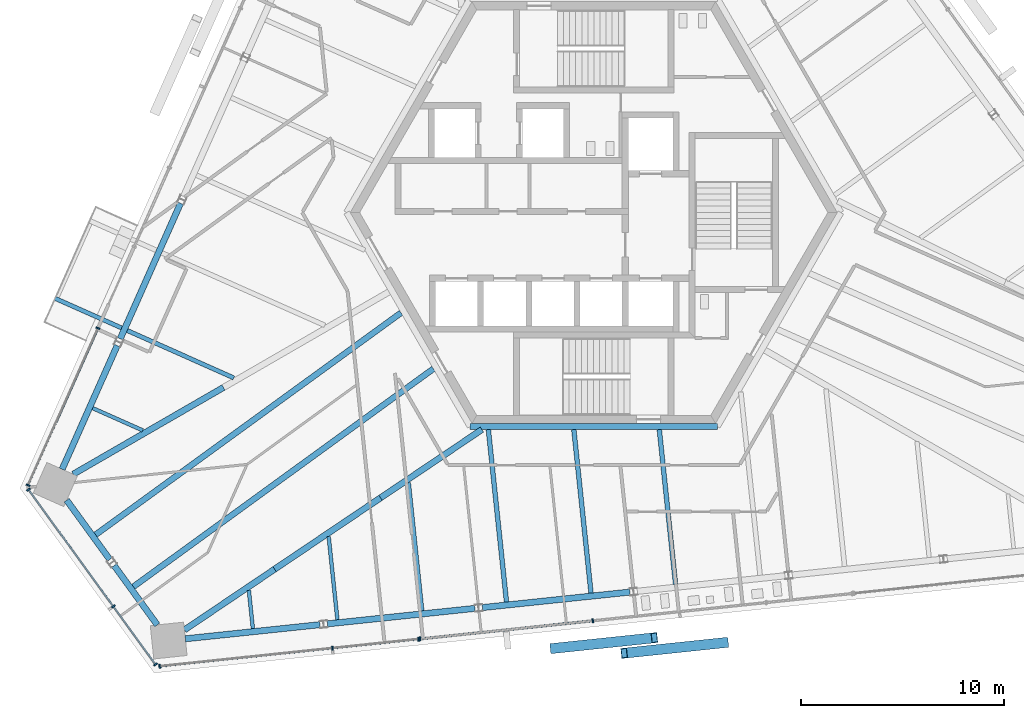
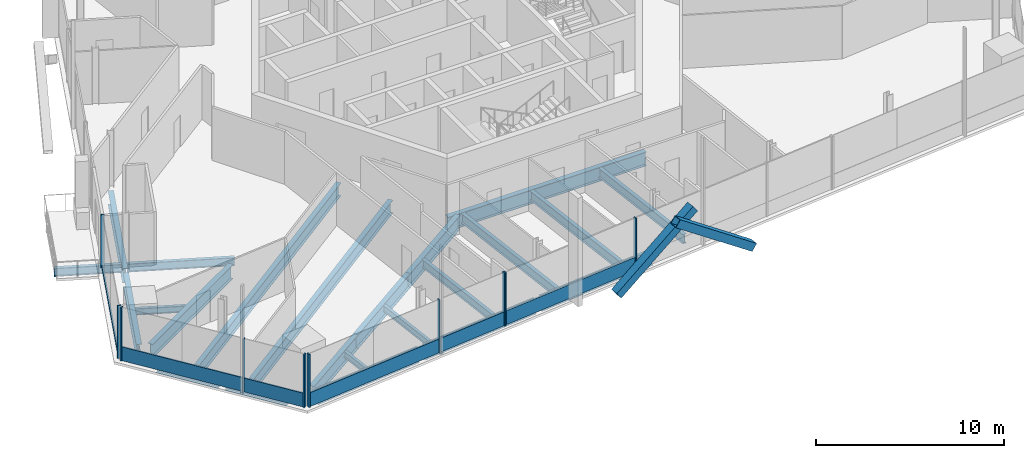
# One storey, part 4 of 20: 23 beams, 18 members, 4 elements without a shape of their own.
"""IFC4 building model written with IfcOpenShell, lengths in metres."""

import ifcopenshell
import ifcopenshell.guid

model = None  # the IFC model being written
_history = None  # IfcOwnerHistory: only IFC2X3 demands one
_inside = {}  # id of a spatial element -> (the spatial element, [elements in it])
_under = {}  # id of a project, library or spatial element -> (it, [spatial elements below it])
_declared = {}  # id of a project -> (the project, [libraries it declares])
_typed = {}  # id of a type object -> (the type object, [elements of that type])
_made_of = {}  # id of a material, layer set ... -> (it, [elements and type objects made of it])


def new_model(schema):
    """Start an empty IFC model of exactly this schema.

    Asked for "IFC4X3", IfcOpenShell would pick the latest addendum, in which some entities
    have other attributes; the version numbers below select the first issue.
    IFC2X3 requires an IfcOwnerHistory on every rooted entity: one is made here for all.
    """
    global model, _history
    if schema == "IFC4X3":
        model = ifcopenshell.file(schema_version=(4, 3, 0, 0))
    else:
        model = ifcopenshell.file(schema=schema)
    _inside.clear()
    _under.clear()
    _declared.clear()
    _typed.clear()
    _made_of.clear()
    _history = None
    if model.schema == "IFC2X3":
        org = make("IfcOrganization", Name="unknown")
        user = make(
            "IfcPersonAndOrganization",
            ThePerson=make("IfcPerson", FamilyName="unknown"),
            TheOrganization=org,
        )
        app = make(
            "IfcApplication",
            ApplicationDeveloper=org,
            Version="unknown",
            ApplicationFullName="unknown",
            ApplicationIdentifier="unknown",
        )
        _history = make(
            "IfcOwnerHistory",
            OwningUser=user,
            OwningApplication=app,
            ChangeAction="ADDED",
            CreationDate=0,
        )
    return model


def make(cls, **values):
    """One entity of the class cls with the attributes given. An attribute that is None is left unset."""
    return model.create_entity(
        cls, **{name: value for name, value in values.items() if value is not None}
    )


def rooted(cls, **values):
    """An entity with a GlobalId (a new one), such as an element, a storey or a relation."""
    return make(cls, GlobalId=ifcopenshell.guid.new(), OwnerHistory=_history, **values)


def si_unit(unit_type, name, prefix=None):
    """IfcSIUnit, for example si_unit("LENGTHUNIT", "METRE", prefix="MILLI")."""
    return make("IfcSIUnit", UnitType=unit_type, Prefix=prefix, Name=name)


def assignment(units):
    """IfcUnitAssignment: the units of a project."""
    return None if units is None else make("IfcUnitAssignment", Units=units)


def point(xyz):
    """IfcCartesianPoint."""
    return None if xyz is None else make("IfcCartesianPoint", Coordinates=xyz)


def direction(xyz):
    """IfcDirection."""
    return None if xyz is None else make("IfcDirection", DirectionRatios=xyz)


def frame(location, z_axis=None, x_axis=None):
    """IfcAxis2Placement3D, a coordinate frame: its origin and axes. An axis left out is left unset."""
    return make(
        "IfcAxis2Placement3D",
        Location=point(location),
        Axis=direction(z_axis),
        RefDirection=direction(x_axis),
    )


def frame_2d(location, x_axis=None):
    """IfcAxis2Placement2D, a coordinate frame in the plane: its origin and x axis."""
    return make(
        "IfcAxis2Placement2D", Location=point(location), RefDirection=direction(x_axis)
    )


def origin():
    """The frame at (0, 0, 0) with its axes left unset."""
    return frame((0.0, 0.0, 0.0))


def origin_2d():
    """The frame at (0, 0) in the plane with its x axis left unset."""
    return frame_2d((0.0, 0.0))


def place(relative_to, where):
    """IfcLocalPlacement: puts the frame where relative to a parent placement (None: the world)."""
    return make(
        "IfcLocalPlacement", PlacementRelTo=relative_to, RelativePlacement=where
    )


def context(
    kind, dimensions, precision=None, world=None, true_north=None, identifier=None
):
    """IfcGeometricRepresentationContext, for example the 3D "Model" context."""
    return make(
        "IfcGeometricRepresentationContext",
        ContextIdentifier=identifier,
        ContextType=kind,
        CoordinateSpaceDimension=dimensions,
        Precision=precision,
        WorldCoordinateSystem=world,
        TrueNorth=true_north,
    )


def subcontext(parent, identifier, kind, view, scale=None):
    """IfcGeometricRepresentationSubContext, for example "Body" below "Model"."""
    return make(
        "IfcGeometricRepresentationSubContext",
        ContextIdentifier=identifier,
        ContextType=kind,
        ParentContext=parent,
        TargetScale=scale,
        TargetView=view,
    )


def project(units=None, contexts=None):
    """IfcProject with its units and contexts."""
    return rooted(
        "IfcProject",
        Name="project",
        RepresentationContexts=contexts,
        UnitsInContext=assignment(units),
    )


def spatial(cls, under=None, at=None, **own):
    """A site, building, storey or space (cls), placed at a placement, below another one or the project."""
    s = rooted(cls, ObjectPlacement=at, **own)
    if under is not None:
        _under.setdefault(under.id(), (under, []))[1].append(s)
    return s


def profile(cls, at=None, kind="AREA", **sizes):
    """A parametric profile (cls). Its sizes go by their IFC names, for example OverallWidth=200.0."""
    return make(cls, ProfileType=kind, Position=at, **sizes)


def rectangle(**sizes):
    """IfcRectangleProfileDef."""
    return profile("IfcRectangleProfileDef", **sizes)


def hollow_rectangle(**sizes):
    """IfcRectangleHollowProfileDef."""
    return profile("IfcRectangleHollowProfileDef", **sizes)


def i_section(**sizes):
    """IfcIShapeProfileDef."""
    return profile("IfcIShapeProfileDef", **sizes)


def extrude(swept, where, along, depth):
    """IfcExtrudedAreaSolid: the profile swept, set in the frame where, extruded along a direction by depth."""
    return make(
        "IfcExtrudedAreaSolid",
        SweptArea=swept,
        Position=where,
        ExtrudedDirection=direction(along),
        Depth=depth,
    )


def shape(context_of_items, identifier, shape_type, items):
    """IfcShapeRepresentation: the items that make up one representation, for example the "Body"."""
    return make(
        "IfcShapeRepresentation",
        ContextOfItems=context_of_items,
        RepresentationIdentifier=identifier,
        RepresentationType=shape_type,
        Items=items,
    )


def source(mapping_origin, context_of_items, identifier, shape_type, items):
    """IfcRepresentationMap: a shape defined once, which mapped items show again and again."""
    return make(
        "IfcRepresentationMap",
        MappingOrigin=mapping_origin,
        MappedRepresentation=shape(context_of_items, identifier, shape_type, items),
    )


def transform(
    local_origin,
    x_axis=None,
    y_axis=None,
    z_axis=None,
    scale=None,
    scale2=None,
    scale3=None,
    uniform=True,
):
    """IfcCartesianTransformationOperator3D, or its non-uniform kind. x_axis, y_axis, z_axis: its Axis1, 2, 3."""
    if uniform:
        return make(
            "IfcCartesianTransformationOperator3D",
            Axis1=direction(x_axis),
            Axis2=direction(y_axis),
            LocalOrigin=point(local_origin),
            Scale=scale,
            Axis3=direction(z_axis),
        )
    return make(
        "IfcCartesianTransformationOperator3DnonUniform",
        Axis1=direction(x_axis),
        Axis2=direction(y_axis),
        LocalOrigin=point(local_origin),
        Scale=scale,
        Axis3=direction(z_axis),
        Scale2=scale2,
        Scale3=scale3,
    )


def mapped(mapping_source, mapping_target):
    """IfcMappedItem: shows the shape of a source again, moved by a transform."""
    return make(
        "IfcMappedItem", MappingSource=mapping_source, MappingTarget=mapping_target
    )


def material(Name=None, Category=None):
    """IfcMaterial."""
    return make("IfcMaterial", Name=Name, Category=Category)


def material_profile(
    of_material, cross_section, Name=None, Category=None, Priority=None
):
    """IfcMaterialProfile: a cross section and its material."""
    return make(
        "IfcMaterialProfile",
        Name=Name,
        Material=of_material,
        Profile=cross_section,
        Priority=Priority,
        Category=Category,
    )


def profile_set(profiles, Name=None, composite=None):
    """IfcMaterialProfileSet."""
    return make(
        "IfcMaterialProfileSet",
        Name=Name,
        MaterialProfiles=profiles,
        CompositeProfile=composite,
    )


def made_of(thing, what):
    """Note that an element or type object is made of a material, layer set ...; save() writes the relation."""
    if what is not None:
        _made_of.setdefault(what.id(), (what, []))[1].append(thing)
    return thing


def type_object(cls, material=None, **own):
    """A type object (cls), such as IfcWallType, which elements share."""
    return made_of(rooted(cls, **own), material)


def element(
    cls,
    number,
    at=None,
    inside=None,
    cuts=None,
    type_object=None,
    material=None,
    context=None,
    identifier="Body",
    shape_type=None,
    held_by="IfcProductDefinitionShape",
    body=None,
    shapes=None,
    **own,
):
    """One element of the class cls, such as IfcWall. Its Tag is "e" and its number.

    at: its placement. inside: the storey or other place that contains it. cuts: it is an
    opening in that element (IfcRelVoidsElement). A single representation is given by context,
    identifier, shape_type and body (its items); several are given by shapes. held_by: the class
    of the entity that holds the representations. save() writes the other relations.
    """
    e = rooted(cls, Tag="e%d" % number, ObjectPlacement=at, **own)
    if body is not None:
        shapes = [shape(context, identifier, shape_type, body)]
    if shapes is not None:
        e.Representation = make(held_by, Representations=shapes)
    if inside is not None:
        _inside.setdefault(inside.id(), (inside, []))[1].append(e)
    if cuts is not None:
        rooted(
            "IfcRelVoidsElement", RelatingBuildingElement=cuts, RelatedOpeningElement=e
        )
    if type_object is not None:
        _typed.setdefault(type_object.id(), (type_object, []))[1].append(e)
    return made_of(e, material)


def aggregate(whole, parts):
    """IfcRelAggregates: a whole, such as a stair, and the parts it consists of."""
    return rooted("IfcRelAggregates", RelatingObject=whole, RelatedObjects=parts)


def save(model, path):
    """Write the relations noted so far, then the file.

    IfcRelAggregates (storeys below a building ...), IfcRelContainedInSpatialStructure (elements
    in a storey), IfcRelDefinesByType, IfcRelAssociatesMaterial and IfcRelDeclares: one each for
    every whole, place, type object, material and project.
    """
    for whole, parts in _under.values():
        aggregate(whole, parts)
    for where, things in _inside.values():
        rooted(
            "IfcRelContainedInSpatialStructure",
            RelatedElements=things,
            RelatingStructure=where,
        )
    for kind, things in _typed.values():
        rooted("IfcRelDefinesByType", RelatedObjects=things, RelatingType=kind)
    for what, things in _made_of.values():
        rooted("IfcRelAssociatesMaterial", RelatedObjects=things, RelatingMaterial=what)
    for by, libraries in _declared.values():
        rooted("IfcRelDeclares", RelatingContext=by, RelatedDefinitions=libraries)
    model.write(path)


model = new_model("IFC4")

# Units and contexts
model_context = context("Model", 3, precision=1e-05, world=origin(), true_north=direction((0.0, 1.0)))
body_context = subcontext(model_context, "Body", "Model", "MODEL_VIEW")
ifc_project = project(units=[si_unit("LENGTHUNIT", "METRE"), si_unit("AREAUNIT", "SQUARE_METRE"), si_unit("VOLUMEUNIT", "CUBIC_METRE"), si_unit("PLANEANGLEUNIT", "RADIAN"), si_unit("MASSUNIT", "GRAM", prefix="KILO")], contexts=[model_context])

# Site, building, storey
site_placement = place(None, origin())
site = spatial("IfcSite", under=ifc_project, at=site_placement, CompositionType="ELEMENT")
building_placement = place(site_placement, origin())
building = spatial("IfcBuilding", under=site, at=building_placement, Name="Triune Harvest Tower", CompositionType="ELEMENT")
storey_placement = place(building_placement, frame((0.0, 0.0, 234.10009765625)))
storey = spatial("IfcBuildingStorey", under=building, at=storey_placement, Name="L61", CompositionType="ELEMENT", Elevation=234.10009765625)

# Curtain wall, member
ifc_material_1 = material(Name="Aluminium bronze anodised", Category="aluminium")
curtain_wall_type_1 = type_object("IfcCurtainWallType", Name="CW-6 Balcony window wall", PredefinedType="NOTDEFINED", material=ifc_material_1)
curtain_wall_1_placement = place(storey_placement, origin())
curtain_wall_1 = element("IfcCurtainWall", 1, at=curtain_wall_1_placement, inside=storey, type_object=curtain_wall_type_1, Name="CW-6 B6-F3 L61 run 2")
ifc_material_2 = material(Name="Aluminium bronze anodised", Category="aluminium")
ifc_material_profile_1 = material_profile(ifc_material_2, rectangle(XDim=0.090087890625, YDim=0.14990234375, at=origin_2d()), Name="TR-6 transom 90 x 150")
ifc_profile_set_1 = profile_set([ifc_material_profile_1], Name="Aluminium bronze anodised")
member_type_1 = type_object("IfcMemberType", Name="TR-6 transom 90 x 150", PredefinedType="USERDEFINED", material=ifc_profile_set_1)
member_1_placement = place(storey_placement, frame((-24.44921875, -5.733642578125, 0.074951171875), z_axis=(-0.406751042422, -0.913539046505, 0.0), x_axis=(0.913539046505, -0.406751042422, 0.0)))
member_1 = element("IfcMember", 2, at=member_1_placement, type_object=member_type_1, Name="CW-6 transom B6-F3 2.1", ObjectType="TRANSOM", PredefinedType="USERDEFINED", context=body_context, shape_type="SweptSolid", body=[
    extrude(rectangle(XDim=0.090087890625, YDim=0.14990234375, at=origin_2d()), origin(), (0.0, 0.0, 1.0), 8.392822265625),
])

# Beams
ifc_material_3 = material(Name="Steel ASTM A992 Gr 50", Category="steel")
ifc_material_profile_2 = material_profile(ifc_material_3, i_section(OverallWidth=0.3046875, OverallDepth=0.914306640625, WebThickness=0.0166015625, FlangeThickness=0.02587890625, at=origin_2d()), Name="W36x160")
ifc_profile_set_2 = profile_set([ifc_material_profile_2], Name="Steel ASTM A992 Gr 50")
beam_type_1 = type_object("IfcBeamType", Name="CG-1 Core ring girder W36x160", PredefinedType="BEAM", material=ifc_profile_set_2)
shared_shape_1 = source(origin(), body_context, "Body", "SweptSolid", [
    extrude(i_section(OverallWidth=0.3046875, OverallDepth=0.914306640625, WebThickness=0.0166015625, FlangeThickness=0.02587890625, at=origin_2d()), origin(), (0.0, 0.0, 1.0), 12.17578125),
])
beam_1_placement = place(storey_placement, frame((-6.087890625, -10.544677734375, -0.6171875), z_axis=(1.0, 0.0, 0.0), x_axis=(0.0, 1.0, 0.0)))
element("IfcBeam", 3, at=beam_1_placement, inside=storey, type_object=beam_type_1, Name="beam/L61/CG5", PredefinedType="BEAM", context=body_context, shape_type="MappedRepresentation", body=[
    mapped(shared_shape_1, transform((0.0, 0.0, 0.0), scale=1.0)),
])
ifc_material_4 = material(Name="Steel ASTM A992 Gr 50", Category="steel")
ifc_material_profile_3 = material_profile(ifc_material_4, i_section(OverallWidth=0.3046875, OverallDepth=0.914306640625, WebThickness=0.0166015625, FlangeThickness=0.02587890625, at=origin_2d()), Name="W36x160")
ifc_profile_set_3 = profile_set([ifc_material_profile_3], Name="Steel ASTM A992 Gr 50")
beam_type_2 = type_object("IfcBeamType", Name="HG-3 Hip girder W36x160", PredefinedType="BEAM", material=ifc_profile_set_3)
shared_shape_2 = source(origin(), body_context, "Body", "SweptSolid", [
    extrude(i_section(OverallWidth=0.3046875, OverallDepth=0.914306640625, WebThickness=0.0166015625, FlangeThickness=0.02587890625, at=origin_2d()), origin(), (0.0, 0.0, 1.0), 6.293701171875),
])
beam_2_placement = place(storey_placement, frame((-15.72802734375, -17.576904296875, -0.6171875), z_axis=(0.829391075311, 0.558668456416, 0.0), x_axis=(-0.558668456416, 0.829391075311, 0.0)))
element("IfcBeam", 4, at=beam_2_placement, inside=storey, type_object=beam_type_2, Name="beam/L61/HG8", PredefinedType="BEAM", context=body_context, shape_type="MappedRepresentation", body=[
    mapped(shared_shape_2, transform((0.0, 0.0, 0.0), scale=1.0)),
])
shared_shape_3 = source(origin(), body_context, "Body", "SweptSolid", [
    extrude(i_section(OverallWidth=0.3046875, OverallDepth=0.914306640625, WebThickness=0.0166015625, FlangeThickness=0.02587890625, at=origin_2d()), origin(), (0.0, 0.0, 1.0), 6.02099609375),
])
beam_3_placement = place(storey_placement, frame((-10.508056640625, -14.060791015625, -0.6171875), z_axis=(0.829383245618, 0.558680080088, 0.0), x_axis=(-0.558680080088, 0.829383245618, 0.0)))
element("IfcBeam", 5, at=beam_3_placement, inside=storey, type_object=beam_type_2, Name="beam/L61/HG9", PredefinedType="BEAM", context=body_context, shape_type="MappedRepresentation", body=[
    mapped(shared_shape_3, transform((0.0, 0.0, 0.0), scale=1.0)),
])
ifc_material_5 = material(Name="Steel ASTM A992 Gr 50", Category="steel")
ifc_material_profile_4 = material_profile(ifc_material_5, i_section(OverallWidth=0.3046875, OverallDepth=0.914306640625, WebThickness=0.0166015625, FlangeThickness=0.02587890625, at=origin_2d()), Name="W36x160")
ifc_profile_set_4 = profile_set([ifc_material_profile_4], Name="Steel ASTM A992 Gr 50")
beam_type_3 = type_object("IfcBeamType", Name="SB-1 Spandrel beam W36x160", PredefinedType="SPANDREL", material=ifc_profile_set_4)
shared_shape_4 = source(origin(), body_context, "Body", "SweptSolid", [
    extrude(i_section(OverallWidth=0.3046875, OverallDepth=0.914306640625, WebThickness=0.0166015625, FlangeThickness=0.02587890625, at=origin_2d()), origin(), (0.0, 0.0, 1.0), 6.67041015625),
])
beam_4_placement = place(storey_placement, frame((-20.127685546875, -21.007080078125, -0.6171875), z_axis=(0.994521485501, 0.104532362822, 0.0), x_axis=(-0.104532362822, 0.994521485501, 0.0)))
element("IfcBeam", 6, at=beam_4_placement, inside=storey, type_object=beam_type_3, Name="beam/L61/SB17", PredefinedType="SPANDREL", context=body_context, shape_type="MappedRepresentation", body=[
    mapped(shared_shape_4, transform((0.0, 0.0, 0.0), scale=1.0)),
])
shared_shape_5 = source(origin(), body_context, "Body", "SweptSolid", [
    extrude(i_section(OverallWidth=0.3046875, OverallDepth=0.914306640625, WebThickness=0.0166015625, FlangeThickness=0.02587890625, at=origin_2d()), origin(), (0.0, 0.0, 1.0), 7.31103515625),
])
beam_5_placement = place(storey_placement, frame((-13.127685546875, -20.271240234375, -0.6171875), z_axis=(0.994522639393, 0.104521384101, 0.0), x_axis=(-0.104521384101, 0.994522639393, 0.0)))
element("IfcBeam", 7, at=beam_5_placement, inside=storey, type_object=beam_type_3, Name="beam/L61/SB18", PredefinedType="SPANDREL", context=body_context, shape_type="MappedRepresentation", body=[
    mapped(shared_shape_5, transform((0.0, 0.0, 0.0), scale=1.0)),
])
shared_shape_6 = source(origin(), body_context, "Body", "SweptSolid", [
    extrude(i_section(OverallWidth=0.3046875, OverallDepth=0.914306640625, WebThickness=0.0166015625, FlangeThickness=0.02587890625, at=origin_2d()), origin(), (0.0, 0.0, 1.0), 3.614990234375),
])
for number, where, z_axis, x_axis, name in (
    (8, (-25.974365234375, -14.175537109375, -0.6171875), (0.587818273033, -0.808993002373, 0.0), (0.808993002373, 0.587818273033, 0.0), "beam/L61/SB15"),
    (9, (-23.633056640625, -17.39794921875, -0.6171875), (0.587818273033, -0.808993002373, 0.0), (0.808993002373, 0.587818273033, 0.0), "beam/L61/SB16"),
):
    element("IfcBeam", number, at=place(storey_placement, frame(where, z_axis=z_axis, x_axis=x_axis)), inside=storey, type_object=beam_type_3, Name=name, PredefinedType="SPANDREL", context=body_context, shape_type="MappedRepresentation", body=[
        mapped(shared_shape_6, transform((0.0, 0.0, 0.0), scale=1.0)),
    ])
shared_shape_7 = source(origin(), body_context, "Body", "SweptSolid", [
    extrude(i_section(OverallWidth=0.3046875, OverallDepth=0.914306640625, WebThickness=0.0166015625, FlangeThickness=0.02587890625, at=origin_2d()), origin(), (0.0, 0.0, 1.0), 6.670166015625),
])
beam_6_placement = place(storey_placement, frame((-23.485595703125, -6.5576171875, -0.6171875), z_axis=(-0.406722507275, -0.913551751176, 0.0), x_axis=(0.913551751176, -0.406722507275, 0.0)))
element("IfcBeam", 10, at=beam_6_placement, inside=storey, type_object=beam_type_3, Name="beam/L61/SB14", PredefinedType="SPANDREL", context=body_context, shape_type="MappedRepresentation", body=[
    mapped(shared_shape_7, transform((0.0, 0.0, 0.0), scale=1.0)),
])
shared_shape_8 = source(origin(), body_context, "Body", "SweptSolid", [
    extrude(i_section(OverallWidth=0.3046875, OverallDepth=0.914306640625, WebThickness=0.0166015625, FlangeThickness=0.02587890625, at=origin_2d()), origin(), (0.0, 0.0, 1.0), 7.311279296875),
])
for number, where, z_axis, x_axis, name in (
    (11, (-20.362060546875, 0.4580078125, -0.6171875), (-0.406720859208, -0.91355248491, 0.0), (0.91355248491, -0.406720859208, 0.0), "beam/L61/SB13"),
    (12, (-5.490478515625, -19.468505859375, -0.6171875), (0.994519532674, 0.104550940362, 0.0), (-0.104550940362, 0.994519532674, 0.0), "beam/L61/SB19"),
):
    element("IfcBeam", number, at=place(storey_placement, frame(where, z_axis=z_axis, x_axis=x_axis)), inside=storey, type_object=beam_type_3, Name=name, PredefinedType="SPANDREL", context=body_context, shape_type="MappedRepresentation", body=[
        mapped(shared_shape_8, transform((0.0, 0.0, 0.0), scale=1.0)),
    ])
shared_shape_9 = source(origin(), body_context, "Body", "SweptSolid", [
    extrude(i_section(OverallWidth=0.3046875, OverallDepth=0.914306640625, WebThickness=0.0166015625, FlangeThickness=0.02587890625, at=origin_2d()), origin(), (0.0, 0.0, 1.0), 8.548583984375),
])
beam_7_placement = place(storey_placement, frame((-25.651123046875, -12.89501953125, -0.6171875), z_axis=(0.866020080793, 0.500009219579, 0.0), x_axis=(-0.500009219579, 0.866020080793, 0.0)))
element("IfcBeam", 13, at=beam_7_placement, inside=storey, type_object=beam_type_2, Name="beam/L61/HG5", PredefinedType="BEAM", context=body_context, shape_type="MappedRepresentation", body=[
    mapped(shared_shape_9, transform((0.0, 0.0, 0.0), scale=1.0)),
])
shared_shape_10 = source(origin(), body_context, "Body", "SweptSolid", [
    extrude(i_section(OverallWidth=0.3046875, OverallDepth=0.914306640625, WebThickness=0.0166015625, FlangeThickness=0.02587890625, at=origin_2d()), origin(), (0.0, 0.0, 1.0), 5.35986328125),
])
beam_8_placement = place(storey_placement, frame((-20.173583984375, -20.5712890625, -0.6171875), z_axis=(0.829399024376, 0.558656655169, 0.0), x_axis=(-0.558656655169, 0.829399024376, 0.0)))
element("IfcBeam", 14, at=beam_8_placement, inside=storey, type_object=beam_type_2, Name="beam/L61/HG7", PredefinedType="BEAM", context=body_context, shape_type="MappedRepresentation", body=[
    mapped(shared_shape_10, transform((0.0, 0.0, 0.0), scale=1.0)),
])
ifc_material_6 = material(Name="Steel ASTM A992 Gr 50", Category="steel")
ifc_material_profile_5 = material_profile(ifc_material_6, i_section(OverallWidth=0.2099609375, OverallDepth=0.535888671875, WebThickness=0.010986328125, FlangeThickness=0.017333984375, at=origin_2d()), Name="W21x68")
ifc_profile_set_5 = profile_set([ifc_material_profile_5], Name="Steel ASTM A992 Gr 50")
beam_type_4 = type_object("IfcBeamType", Name="JT-2 Floor joist W21x68", PredefinedType="JOIST", material=ifc_profile_set_5)
shared_shape_11 = source(origin(), body_context, "Body", "SweptSolid", [
    extrude(i_section(OverallWidth=0.2099609375, OverallDepth=0.535888671875, WebThickness=0.010986328125, FlangeThickness=0.017333984375, at=origin_2d()), origin(), (0.0, 0.0, 1.0), 6.346435546875),
])
beam_9_placement = place(storey_placement, frame((-8.466552734375, -19.628173828125, -0.427978515625), z_axis=(-0.104518578592, 0.99452293424, 0.0), x_axis=(-0.99452293424, -0.104518578592, 0.0)))
element("IfcBeam", 15, at=beam_9_placement, inside=storey, type_object=beam_type_4, Name="beam/L61/JT27", PredefinedType="JOIST", context=body_context, shape_type="MappedRepresentation", body=[
    mapped(shared_shape_11, transform((0.0, 0.0, 0.0), scale=1.0)),
])
ifc_material_7 = material(Name="Steel ASTM A992 Gr 50", Category="steel")
ifc_material_profile_6 = material_profile(ifc_material_7, i_section(OverallWidth=0.22900390625, OverallDepth=0.612060546875, WebThickness=0.011962890625, FlangeThickness=0.01953125, at=origin_2d()), Name="W24x84")
ifc_profile_set_6 = profile_set([ifc_material_profile_6], Name="Steel ASTM A992 Gr 50")
beam_type_5 = type_object("IfcBeamType", Name="JT-3 Floor joist W24x84", PredefinedType="JOIST", material=ifc_profile_set_6)
shared_shape_12 = source(origin(), body_context, "Body", "SweptSolid", [
    extrude(i_section(OverallWidth=0.22900390625, OverallDepth=0.612060546875, WebThickness=0.011962890625, FlangeThickness=0.01953125, at=origin_2d()), origin(), (0.0, 0.0, 1.0), 8.099609375),
])
beam_10_placement = place(storey_placement, frame((-0.135009765625, -18.752197265625, -0.46630859375), z_axis=(-0.104534153452, 0.994521297289, 0.0), x_axis=(-0.994521297289, -0.104534153452, 0.0)))
element("IfcBeam", 16, at=beam_10_placement, inside=storey, type_object=beam_type_5, Name="beam/L61/JT29", PredefinedType="JOIST", context=body_context, shape_type="MappedRepresentation", body=[
    mapped(shared_shape_12, transform((0.0, 0.0, 0.0), scale=1.0)),
])
shared_shape_13 = source(origin(), body_context, "Body", "SweptSolid", [
    extrude(i_section(OverallWidth=0.22900390625, OverallDepth=0.612060546875, WebThickness=0.011962890625, FlangeThickness=0.01953125, at=origin_2d()), origin(), (0.0, 0.0, 1.0), 7.659423828125),
])
beam_11_placement = place(storey_placement, frame((4.031005859375, -18.314453125, -0.46630859375), z_axis=(-0.104548726976, 0.994519765358, 0.0), x_axis=(-0.994519765358, -0.104548726976, 0.0)))
element("IfcBeam", 17, at=beam_11_placement, inside=storey, type_object=beam_type_5, Name="beam/L61/JT30", PredefinedType="JOIST", context=body_context, shape_type="MappedRepresentation", body=[
    mapped(shared_shape_13, transform((0.0, 0.0, 0.0), scale=1.0)),
])
shared_shape_14 = source(origin(), body_context, "Body", "SweptSolid", [
    extrude(i_section(OverallWidth=0.2099609375, OverallDepth=0.535888671875, WebThickness=0.010986328125, FlangeThickness=0.017333984375, at=origin_2d()), origin(), (0.0, 0.0, 1.0), 5.745849609375),
])
beam_12_placement = place(storey_placement, frame((-22.987548828125, -5.8134765625, -0.427978515625), z_axis=(0.913552037091, -0.406721865071, 0.0), x_axis=(0.406721865071, 0.913552037091, 0.0)))
element("IfcBeam", 18, at=beam_12_placement, inside=storey, type_object=beam_type_4, Name="beam/L61/JT21", PredefinedType="JOIST", context=body_context, shape_type="MappedRepresentation", body=[
    mapped(shared_shape_14, transform((0.0, 0.0, 0.0), scale=1.0)),
])
ifc_material_8 = material(Name="Steel ASTM A992 Gr 50", Category="steel")
ifc_material_profile_7 = material_profile(ifc_material_8, i_section(OverallWidth=0.2919921875, OverallDepth=0.8408203125, WebThickness=0.0146484375, FlangeThickness=0.021728515625, at=origin_2d()), Name="W33x130")
ifc_profile_set_7 = profile_set([ifc_material_profile_7], Name="Steel ASTM A992 Gr 50")
beam_type_6 = type_object("IfcBeamType", Name="JT-6 Floor joist W33x130", PredefinedType="JOIST", material=ifc_profile_set_7)
shared_shape_15 = source(origin(), body_context, "Body", "SweptSolid", [
    extrude(i_section(OverallWidth=0.2919921875, OverallDepth=0.8408203125, WebThickness=0.0146484375, FlangeThickness=0.021728515625, at=origin_2d()), origin(), (0.0, 0.0, 1.0), 18.27099609375),
])
beam_13_placement = place(storey_placement, frame((-22.68701171875, -18.44091796875, -0.58056640625), z_axis=(0.809013927609, 0.587789473311, 0.0), x_axis=(-0.587789473311, 0.809013927609, 0.0)))
element("IfcBeam", 19, at=beam_13_placement, inside=storey, type_object=beam_type_6, Name="beam/L61/JT24", PredefinedType="JOIST", context=body_context, shape_type="MappedRepresentation", body=[
    mapped(shared_shape_15, transform((0.0, 0.0, 0.0), scale=1.0)),
])
ifc_material_9 = material(Name="Steel ASTM A992 Gr 50", Category="steel")
ifc_material_profile_8 = material_profile(ifc_material_9, i_section(OverallWidth=0.180908203125, OverallDepth=0.41650390625, WebThickness=0.010986328125, FlangeThickness=0.01806640625, at=origin_2d()), Name="W16x57")
ifc_profile_set_8 = profile_set([ifc_material_profile_8], Name="Steel ASTM A992 Gr 50")
beam_type_7 = type_object("IfcBeamType", Name="JT-1 Floor joist W16x57", PredefinedType="JOIST", material=ifc_profile_set_8)
shared_shape_16 = source(origin(), body_context, "Body", "SweptSolid", [
    extrude(i_section(OverallWidth=0.180908203125, OverallDepth=0.41650390625, WebThickness=0.010986328125, FlangeThickness=0.01806640625, at=origin_2d()), origin(), (0.0, 0.0, 1.0), 1.899169921875),
])
beam_14_placement = place(storey_placement, frame((-16.79833984375, -20.50390625, -0.368408203125), z_axis=(-0.104517481806, 0.994523049505, 0.0), x_axis=(-0.994523049505, -0.104517481806, 0.0)))
element("IfcBeam", 20, at=beam_14_placement, inside=storey, type_object=beam_type_7, Name="beam/L61/JT25", PredefinedType="JOIST", context=body_context, shape_type="MappedRepresentation", body=[
    mapped(shared_shape_16, transform((0.0, 0.0, 0.0), scale=1.0)),
])
shared_shape_17 = source(origin(), body_context, "Body", "SweptSolid", [
    extrude(i_section(OverallWidth=0.180908203125, OverallDepth=0.41650390625, WebThickness=0.010986328125, FlangeThickness=0.01806640625, at=origin_2d()), origin(), (0.0, 0.0, 1.0), 4.12255859375),
])
beam_15_placement = place(storey_placement, frame((-12.632568359375, -20.06591796875, -0.368408203125), z_axis=(-0.104521403768, 0.994522637326, 0.0), x_axis=(-0.994522637326, -0.104521403768, 0.0)))
element("IfcBeam", 21, at=beam_15_placement, inside=storey, type_object=beam_type_7, Name="beam/L61/JT26", PredefinedType="JOIST", context=body_context, shape_type="MappedRepresentation", body=[
    mapped(shared_shape_17, transform((0.0, 0.0, 0.0), scale=1.0)),
])
shared_shape_18 = source(origin(), body_context, "Body", "SweptSolid", [
    extrude(i_section(OverallWidth=0.180908203125, OverallDepth=0.41650390625, WebThickness=0.010986328125, FlangeThickness=0.01806640625, at=origin_2d()), origin(), (0.0, 0.0, 1.0), 2.702392578125),
])
beam_16_placement = place(storey_placement, frame((-24.691162109375, -9.64013671875, -0.368408203125), z_axis=(0.913550575703, -0.406725147529, 0.0), x_axis=(0.406725147529, 0.913550575703, 0.0)))
element("IfcBeam", 22, at=beam_16_placement, inside=storey, type_object=beam_type_7, Name="beam/L61/JT22", PredefinedType="JOIST", context=body_context, shape_type="MappedRepresentation", body=[
    mapped(shared_shape_18, transform((0.0, 0.0, 0.0), scale=1.0)),
])
shared_shape_19 = source(origin(), body_context, "Body", "SweptSolid", [
    extrude(i_section(OverallWidth=0.2919921875, OverallDepth=0.8408203125, WebThickness=0.0146484375, FlangeThickness=0.021728515625, at=origin_2d()), origin(), (0.0, 0.0, 1.0), 18.603515625),
])
beam_17_placement = place(storey_placement, frame((-24.548828125, -15.8779296875, -0.58056640625), z_axis=(0.809011797406, 0.58779240524, 0.0), x_axis=(-0.58779240524, 0.809011797406, 0.0)))
element("IfcBeam", 23, at=beam_17_placement, inside=storey, type_object=beam_type_6, Name="beam/L61/JT23", PredefinedType="JOIST", context=body_context, shape_type="MappedRepresentation", body=[
    mapped(shared_shape_19, transform((0.0, 0.0, 0.0), scale=1.0)),
])
shared_shape_20 = source(origin(), body_context, "Body", "SweptSolid", [
    extrude(i_section(OverallWidth=0.22900390625, OverallDepth=0.612060546875, WebThickness=0.011962890625, FlangeThickness=0.01953125, at=origin_2d()), origin(), (0.0, 0.0, 1.0), 8.5400390625),
])
beam_18_placement = place(storey_placement, frame((-4.30078125, -19.190185546875, -0.46630859375), z_axis=(-0.104546386162, 0.994520011433, 0.0), x_axis=(-0.994520011433, -0.104546386162, 0.0)))
element("IfcBeam", 24, at=beam_18_placement, inside=storey, type_object=beam_type_5, Name="beam/L61/JT28", PredefinedType="JOIST", context=body_context, shape_type="MappedRepresentation", body=[
    mapped(shared_shape_20, transform((0.0, 0.0, 0.0), scale=1.0)),
])

# Members
ifc_material_10 = material(Name="Steel ASTM A572 Gr 50", Category="steel")
ifc_material_profile_9 = material_profile(ifc_material_10, hollow_rectangle(XDim=0.5, YDim=0.5, WallThickness=0.030029296875, at=origin_2d()), Name="Box 500x500x30")
ifc_profile_set_9 = profile_set([ifc_material_profile_9], Name="Steel ASTM A572 Gr 50")
member_type_2 = type_object("IfcMemberType", Name="BR-3 Brace Box 500x500x30", PredefinedType="BRACE", material=ifc_profile_set_9)
shared_shape_21 = source(origin(), body_context, "Body", "SweptSolid", [
    extrude(hollow_rectangle(XDim=0.5, YDim=0.5, WallThickness=0.030029296875, at=origin_2d()), origin(), (0.0, 0.0, 1.0), 6.170654296875),
])
for number, where, z_axis, x_axis, name in (
    (25, (-1.995361328125, -21.479736328125, 0.0), (0.807749784762, 0.084905517148, 0.583379240611), (-0.104537710696, 0.994520923381, 0.0), "brace/B6-F5/d1/5"),
    (26, (6.48046875, -21.192138671875, 0.0), (-0.807749784762, -0.084905517148, 0.583379240611), (0.104537710696, -0.994520923381, 0.0), "brace/B6-F5/d2/5"),
):
    element("IfcMember", number, at=place(storey_placement, frame(where, z_axis=z_axis, x_axis=x_axis)), inside=storey, type_object=member_type_2, Name=name, PredefinedType="BRACE", context=body_context, shape_type="MappedRepresentation", body=[
        mapped(shared_shape_21, transform((0.0, 0.0, 0.0), scale=1.0)),
    ])

# Curtain wall, members
ifc_material_11 = material(Name="Aluminium bronze anodised", Category="aluminium")
curtain_wall_type_2 = type_object("IfcCurtainWallType", Name="CW-1 Tower stick curtain wall", PredefinedType="NOTDEFINED", material=ifc_material_11)
curtain_wall_2_placement = place(storey_placement, origin())
curtain_wall_2 = element("IfcCurtainWall", 27, at=curtain_wall_2_placement, inside=storey, type_object=curtain_wall_type_2, Name="CW-1 B6-F4 L61 run 1")
ifc_material_12 = material(Name="Aluminium bronze anodised", Category="aluminium")
ifc_material_profile_10 = material_profile(ifc_material_12, rectangle(XDim=0.199951171875, YDim=0.074951171875, at=origin_2d()), Name="MU-1 mullion 75 x 200")
ifc_profile_set_10 = profile_set([ifc_material_profile_10], Name="Aluminium bronze anodised")
member_type_3 = type_object("IfcMemberType", Name="MU-1 mullion 75 x 200", PredefinedType="MULLION", material=ifc_profile_set_10)
shared_shape_22 = source(origin(), body_context, "Body", "SweptSolid", [
    extrude(rectangle(XDim=0.199951171875, YDim=0.074951171875, at=origin_2d()), origin(), (0.0, 0.0, 1.0), 3.43994140625),
])
member_2_placement = place(storey_placement, frame((-27.855224609375, -13.654541015625, 0.0), z_axis=(0.0, 0.0, 1.0), x_axis=(0.809014317982, 0.587788936013, 0.0)))
member_2 = element("IfcMember", 28, at=member_2_placement, type_object=member_type_3, Name="CW-1 mullion B6-F4 1.1", PredefinedType="MULLION", context=body_context, shape_type="MappedRepresentation", body=[
    mapped(shared_shape_22, transform((0.0, 0.0, 0.0), scale=1.0)),
])
member_3_placement = place(storey_placement, frame((-23.673828125, -19.409912109375, 0.0), z_axis=(0.0, 0.0, 1.0), x_axis=(0.809014317982, 0.587788936013, 0.0)))
member_3 = element("IfcMember", 29, at=member_3_placement, type_object=member_type_3, Name="CW-1 mullion B6-F4 1.3", PredefinedType="MULLION", context=body_context, shape_type="MappedRepresentation", body=[
    mapped(shared_shape_22, transform((0.0, 0.0, 0.0), scale=1.0)),
])
member_4_placement = place(storey_placement, frame((-21.593994140625, -22.272216796875, 0.0), z_axis=(0.0, 0.0, 1.0), x_axis=(0.809014317982, 0.587788936013, 0.0)))
member_4 = element("IfcMember", 30, at=member_4_placement, type_object=member_type_3, Name="CW-1 mullion B6-F4 1.4", PredefinedType="MULLION", context=body_context, shape_type="MappedRepresentation", body=[
    mapped(shared_shape_22, transform((0.0, 0.0, 0.0), scale=1.0)),
])

curtain_wall_3_placement = place(storey_placement, origin())
curtain_wall_3 = element("IfcCurtainWall", 31, at=curtain_wall_3_placement, inside=storey, type_object=curtain_wall_type_2, Name="CW-1 B6-F5 L61 run 1")
member_5_placement = place(storey_placement, frame((-21.392333984375, -22.362060546875, 0.0), z_axis=(0.0, 0.0, 1.0), x_axis=(-0.104526068567, 0.994522147059, 0.0)))
member_5 = element("IfcMember", 32, at=member_5_placement, type_object=member_type_3, Name="CW-1 mullion B6-F5 1.1", PredefinedType="MULLION", context=body_context, shape_type="MappedRepresentation", body=[
    mapped(shared_shape_22, transform((0.0, 0.0, 0.0), scale=1.0)),
])
member_6_placement = place(storey_placement, frame((-12.876708984375, -21.467041015625, 0.0), z_axis=(0.0, 0.0, 1.0), x_axis=(-0.104526068567, 0.994522147059, 0.0)))
member_6 = element("IfcMember", 33, at=member_6_placement, type_object=member_type_3, Name="CW-1 mullion B6-F5 1.3", PredefinedType="MULLION", context=body_context, shape_type="MappedRepresentation", body=[
    mapped(shared_shape_22, transform((0.0, 0.0, 0.0), scale=1.0)),
])
member_7_placement = place(storey_placement, frame((-8.637451171875, -21.021484375, 0.0), z_axis=(0.0, 0.0, 1.0), x_axis=(-0.104526068567, 0.994522147059, 0.0)))
member_7 = element("IfcMember", 34, at=member_7_placement, type_object=member_type_3, Name="CW-1 mullion B6-F5 1.4", PredefinedType="MULLION", context=body_context, shape_type="MappedRepresentation", body=[
    mapped(shared_shape_22, transform((0.0, 0.0, 0.0), scale=1.0)),
])

ifc_material_13 = material(Name="Aluminium bronze anodised", Category="aluminium")
curtain_wall_type_3 = type_object("IfcCurtainWallType", Name="CW-7 Tower stick curtain wall with insulated spandrel infill", PredefinedType="NOTDEFINED", material=ifc_material_13)
curtain_wall_4_placement = place(storey_placement, origin())
curtain_wall_4 = element("IfcCurtainWall", 35, at=curtain_wall_4_placement, inside=storey, type_object=curtain_wall_type_3, Name="CW-7 B6-F5 L61 run 1001")
member_8_placement = place(storey_placement, frame((-8.56298828125, -21.013671875, 0.0), z_axis=(0.0, 0.0, 1.0), x_axis=(-0.104534430351, 0.994521268184, 0.0)))
member_8 = element("IfcMember", 36, at=member_8_placement, type_object=member_type_3, Name="CW-7 mullion B6-F5 1001.1", PredefinedType="MULLION", context=body_context, shape_type="MappedRepresentation", body=[
    mapped(shared_shape_22, transform((0.0, 0.0, 0.0), scale=1.0)),
])
member_9_placement = place(storey_placement, frame((-0.04736328125, -20.11865234375, 0.0), z_axis=(0.0, 0.0, 1.0), x_axis=(-0.104534430351, 0.994521268184, 0.0)))
member_9 = element("IfcMember", 37, at=member_9_placement, type_object=member_type_3, Name="CW-7 mullion B6-F5 1001.3", PredefinedType="MULLION", context=body_context, shape_type="MappedRepresentation", body=[
    mapped(shared_shape_22, transform((0.0, 0.0, 0.0), scale=1.0)),
])

# Member
ifc_material_14 = material(Name="Aluminium bronze anodised", Category="aluminium")
ifc_material_profile_11 = material_profile(ifc_material_14, rectangle(XDim=0.199951171875, YDim=0.074951171875, at=origin_2d()), Name="MU-6 mullion 75 x 200")
ifc_profile_set_11 = profile_set([ifc_material_profile_11], Name="Aluminium bronze anodised")
member_type_4 = type_object("IfcMemberType", Name="MU-6 mullion 75 x 200", PredefinedType="MULLION", material=ifc_profile_set_11)
shared_shape_23 = source(origin(), body_context, "Body", "SweptSolid", [
    extrude(rectangle(XDim=0.199951171875, YDim=0.074951171875, at=origin_2d()), origin(), (0.0, 0.0, 1.0), 3.43994140625),
])
member_10_placement = place(storey_placement, frame((-24.43408203125, -5.69921875, 0.0), z_axis=(0.0, 0.0, 1.0), x_axis=(0.91354489257, -0.406737912248, 0.0)))
member_10 = element("IfcMember", 38, at=member_10_placement, type_object=member_type_4, Name="CW-6 mullion B6-F3 2.1", PredefinedType="MULLION", context=body_context, shape_type="MappedRepresentation", body=[
    mapped(shared_shape_23, transform((0.0, 0.0, 0.0), scale=1.0)),
])

member_11_placement = place(storey_placement, frame((-27.878173828125, -13.43505859375, 0.0), z_axis=(0.0, 0.0, 1.0), x_axis=(0.91354489257, -0.406737912248, 0.0)))
member_11 = element("IfcMember", 39, at=member_11_placement, type_object=member_type_4, Name="CW-6 mullion B6-F3 2.3", PredefinedType="MULLION", context=body_context, shape_type="MappedRepresentation", body=[
    mapped(shared_shape_23, transform((0.0, 0.0, 0.0), scale=1.0)),
])

aggregate(curtain_wall_1, [member_10, member_11, member_1])

ifc_material_15 = material(Name="Aluminium bronze anodised", Category="aluminium")
ifc_material_profile_12 = material_profile(ifc_material_15, rectangle(XDim=0.090087890625, YDim=0.89990234375, at=origin_2d()), Name="TR-1 transom 90 x 900")
ifc_profile_set_12 = profile_set([ifc_material_profile_12], Name="Aluminium bronze anodised")
member_type_5 = type_object("IfcMemberType", Name="TR-1 transom 90 x 900", PredefinedType="USERDEFINED", material=ifc_profile_set_12)
shared_shape_24 = source(origin(), body_context, "Body", "SweptSolid", [
    extrude(rectangle(XDim=0.090087890625, YDim=0.89990234375, at=origin_2d()), origin(), (0.0, 0.0, 1.0), 7.03857421875),
])
member_12_placement = place(storey_placement, frame((-27.8330078125, -13.68505859375, 0.449951171875), z_axis=(0.587788023707, -0.809014980817, 0.0), x_axis=(0.809014980817, 0.587788023707, 0.0)))
member_12 = element("IfcMember", 40, at=member_12_placement, type_object=member_type_5, Name="CW-1 transom B6-F4 1.1", ObjectType="TRANSOM", PredefinedType="USERDEFINED", context=body_context, shape_type="MappedRepresentation", body=[
    mapped(shared_shape_24, transform((0.0, 0.0, 0.0), scale=1.0)),
])

shared_shape_25 = source(origin(), body_context, "Body", "SweptSolid", [
    extrude(rectangle(XDim=0.090087890625, YDim=0.89990234375, at=origin_2d()), origin(), (0.0, 0.0, 1.0), 3.463134765625),
])
member_13_placement = place(storey_placement, frame((-23.651611328125, -19.440185546875, 0.449951171875), z_axis=(0.58779438563, -0.809010358538, 0.0), x_axis=(0.809010358538, 0.58779438563, 0.0)))
member_13 = element("IfcMember", 41, at=member_13_placement, type_object=member_type_5, Name="CW-1 transom B6-F4 1.2", ObjectType="TRANSOM", PredefinedType="USERDEFINED", context=body_context, shape_type="MappedRepresentation", body=[
    mapped(shared_shape_25, transform((0.0, 0.0, 0.0), scale=1.0)),
])

aggregate(curtain_wall_2, [member_2, member_3, member_4, member_12, member_13])

# Beam
ifc_material_16 = material(Name="Steel ASTM A992 Gr 50", Category="steel")
ifc_material_profile_13 = material_profile(ifc_material_16, i_section(OverallWidth=0.2099609375, OverallDepth=0.535888671875, WebThickness=0.010986328125, FlangeThickness=0.017333984375, at=origin_2d()), Name="W21x68")
ifc_profile_set_13 = profile_set([ifc_material_profile_13], Name="Steel ASTM A992 Gr 50")
beam_type_8 = type_object("IfcBeamType", Name="BJ-2 Balcony cantilever joist W21x68", PredefinedType="JOIST", material=ifc_profile_set_13)
shared_shape_26 = source(origin(), body_context, "Body", "SweptSolid", [
    extrude(i_section(OverallWidth=0.2099609375, OverallDepth=0.535888671875, WebThickness=0.010986328125, FlangeThickness=0.017333984375, at=origin_2d()), origin(), (0.0, 0.0, 1.0), 3.597412109375),
])
beam_19_placement = place(storey_placement, frame((-23.26611328125, -5.689453125, -0.427978515625), z_axis=(-0.913551089414, 0.406723993675, 0.0), x_axis=(-0.406723993675, -0.913551089414, 0.0)))
element("IfcBeam", 42, at=beam_19_placement, inside=storey, type_object=beam_type_8, Name="Balcony cantilever joist B6-F3 L61.9a", PredefinedType="JOIST", context=body_context, shape_type="MappedRepresentation", body=[
    mapped(shared_shape_26, transform((0.0, 0.0, 0.0), scale=1.0)),
])

# Member
shared_shape_27 = source(origin(), body_context, "Body", "SweptSolid", [
    extrude(rectangle(XDim=0.090087890625, YDim=0.89990234375, at=origin_2d()), origin(), (0.0, 0.0, 1.0), 8.487548828125),
])
member_14_placement = place(storey_placement, frame((-8.525634765625, -21.009765625, 0.449951171875), z_axis=(0.994521832377, 0.104529062585, 0.0), x_axis=(-0.104529062585, 0.994521832377, 0.0)))
member_14 = element("IfcMember", 43, at=member_14_placement, type_object=member_type_5, Name="CW-7 transom B6-F5 1001.1", ObjectType="TRANSOM", PredefinedType="USERDEFINED", context=body_context, shape_type="MappedRepresentation", body=[
    mapped(shared_shape_27, transform((0.0, 0.0, 0.0), scale=1.0)),
])

aggregate(curtain_wall_4, [member_8, member_9, member_14])

shared_shape_28 = source(origin(), body_context, "Body", "SweptSolid", [
    extrude(rectangle(XDim=0.090087890625, YDim=0.89990234375, at=origin_2d()), origin(), (0.0, 0.0, 1.0), 4.1875),
])
member_15_placement = place(storey_placement, frame((-12.83935546875, -21.463134765625, 0.449951171875), z_axis=(0.994521095578, 0.10453607248, 0.0), x_axis=(-0.10453607248, 0.994521095578, 0.0)))
member_15 = element("IfcMember", 44, at=member_15_placement, type_object=member_type_5, Name="CW-1 transom B6-F5 1.2", ObjectType="TRANSOM", PredefinedType="USERDEFINED", context=body_context, shape_type="MappedRepresentation", body=[
    mapped(shared_shape_28, transform((0.0, 0.0, 0.0), scale=1.0)),
])

shared_shape_29 = source(origin(), body_context, "Body", "SweptSolid", [
    extrude(rectangle(XDim=0.090087890625, YDim=0.89990234375, at=origin_2d()), origin(), (0.0, 0.0, 1.0), 8.4873046875),
])
member_16_placement = place(storey_placement, frame((-21.35498046875, -22.358154296875, 0.449951171875), z_axis=(0.994521518077, 0.104532052892, 0.0), x_axis=(-0.104532052892, 0.994521518077, 0.0)))
member_16 = element("IfcMember", 45, at=member_16_placement, type_object=member_type_5, Name="CW-1 transom B6-F5 1.1", ObjectType="TRANSOM", PredefinedType="USERDEFINED", context=body_context, shape_type="MappedRepresentation", body=[
    mapped(shared_shape_29, transform((0.0, 0.0, 0.0), scale=1.0)),
])

aggregate(curtain_wall_3, [member_5, member_6, member_7, member_16, member_15])

save(model, "model.ifc")
